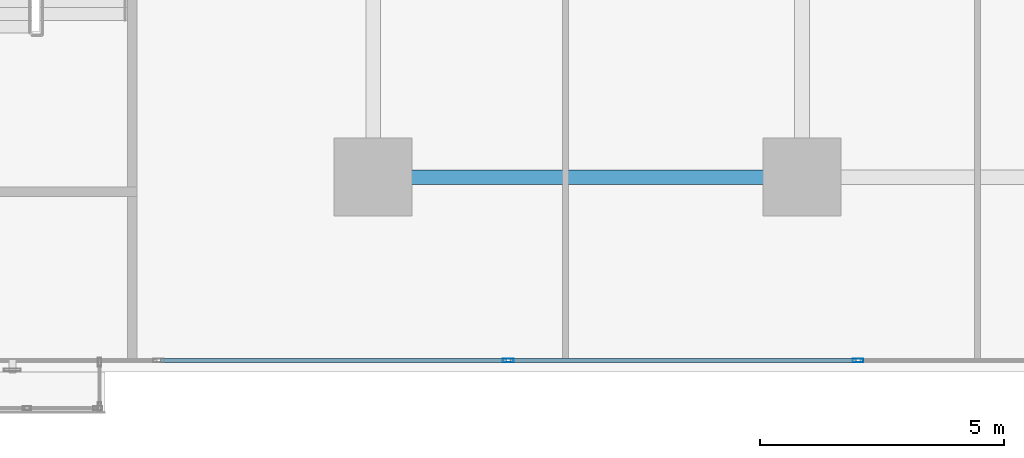
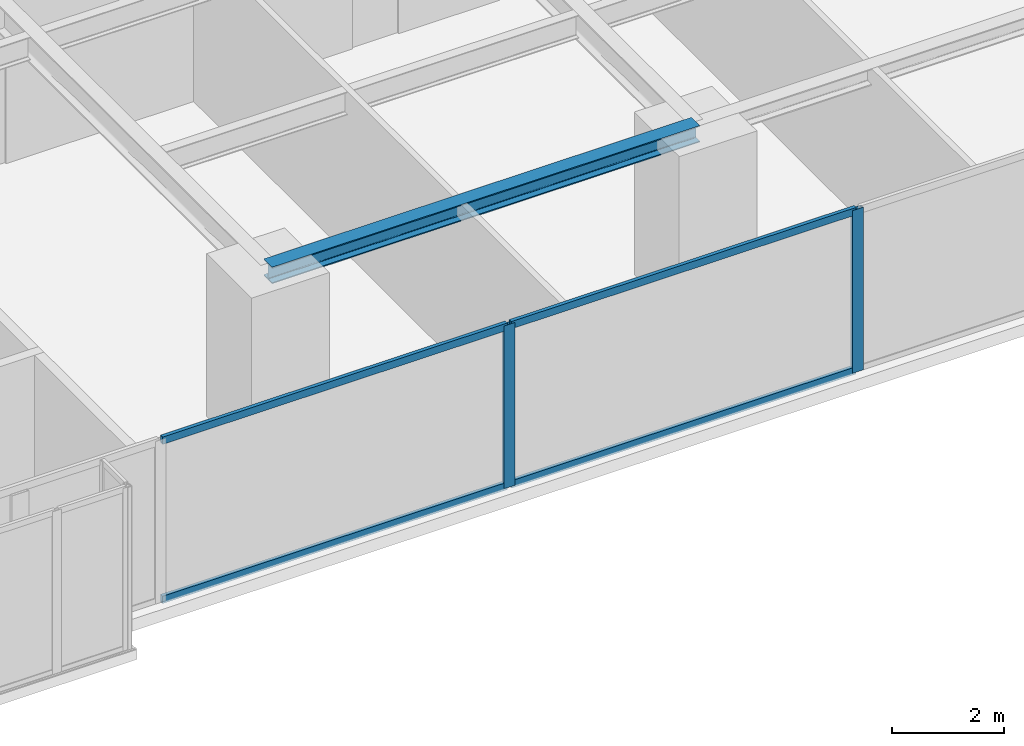
# One storey, part 9 of 26: 6 members, 1 beam, 1 element without a shape of its own.
"""IFC4 building model written with IfcOpenShell, lengths in metres."""

from ifc_helpers import new_model, si_unit, direction, frame, origin, origin_with_axes, origin_2d, place, context, subcontext, project, spatial, hollow_rectangle, i_section, extrude, source, transform, mapped, material, layer, layer_set, material_profile, profile_set, type_object, element, aggregate, save


model = new_model("IFC4")

# Units and contexts
model_context = context("Model", 3, precision=1e-05, world=origin(), true_north=direction((0.0, 1.0)))
body_context = subcontext(model_context, "Body", "Model", "MODEL_VIEW")
ifc_project = project(units=[si_unit("LENGTHUNIT", "METRE"), si_unit("AREAUNIT", "SQUARE_METRE"), si_unit("VOLUMEUNIT", "CUBIC_METRE"), si_unit("PLANEANGLEUNIT", "RADIAN"), si_unit("MASSUNIT", "GRAM", prefix="KILO")], contexts=[model_context])

# Site, building, storey
site_placement = place(None, origin())
site = spatial("IfcSite", under=ifc_project, at=site_placement, CompositionType="ELEMENT")
building_placement = place(site_placement, origin())
building = spatial("IfcBuilding", under=site, at=building_placement, Name="Kolvaren Waterfront Exchange", CompositionType="ELEMENT")
storey_placement = place(building_placement, frame((0.0, 0.0, 48.60009765625)))
storey = spatial("IfcBuildingStorey", under=building, at=storey_placement, Name="L12", CompositionType="ELEMENT", Elevation=48.60009765625)

# Beam
ifc_material_1 = material(Name="Steel S355", Category="steel")
ifc_material_profile_1 = material_profile(ifc_material_1, i_section(OverallWidth=0.300048828125, OverallDepth=0.360107421875, WebThickness=0.012451171875, FlangeThickness=0.0224609375, FilletRadius=0.027099609375, at=origin_2d()), Name="HEB360")
ifc_profile_set_1 = profile_set([ifc_material_profile_1], Name="Steel S355")
beam_type = type_object("IfcBeamType", Name="STR-BM-HEB360", PredefinedType="SPANDREL", material=ifc_profile_set_1)
beam_placement = place(storey_placement, frame((36.800048828125, 5.199951171875, 3.35986328125), z_axis=(1.0, 0.0, 0.0), x_axis=(0.0, 1.0, 0.0)))
element("IfcBeam", 1, at=beam_placement, inside=storey, type_object=beam_type, Name="L12 east-arm spandrel S3", PredefinedType="SPANDREL", context=body_context, shape_type="SweptSolid", body=[
    extrude(i_section(OverallWidth=0.300048828125, OverallDepth=0.360107421875, WebThickness=0.012451171875, FlangeThickness=0.0224609375, FilletRadius=0.027099609375, at=origin_2d()), origin(), (0.0, 0.0, 1.0), 8.800048828125),
])

# Curtain wall, members
ifc_material_2 = material(Name="Anodised bronze aluminium 6063-T6", Category="aluminium")
ifc_layer = layer(ifc_material_2, 0.219970703125, Name="Anodised bronze aluminium 6063-T6")
ifc_layer_set = layer_set([ifc_layer], Name="Anodised bronze aluminium 6063-T6")
curtain_wall_type = type_object("IfcCurtainWallType", Name="ARC-CW-SYS1", PredefinedType="USERDEFINED", material=ifc_layer_set)
curtain_wall_placement = place(storey_placement, origin())
curtain_wall = element("IfcCurtainWall", 2, at=curtain_wall_placement, inside=storey, type_object=curtain_wall_type, Name="L12 stick curtain wall CW1 (CW-L12-S)", ObjectType="STICK CURTAIN WALL", PredefinedType="USERDEFINED")
ifc_material_3 = material(Name="Anodised aluminium 6063-T6", Category="aluminium")
ifc_material_profile_2 = material_profile(ifc_material_3, hollow_rectangle(XDim=0.080078125, YDim=0.219970703125, WallThickness=0.0048828125, at=origin_2d()), Name="ALU-MUL-220x80x5")
ifc_profile_set_2 = profile_set([ifc_material_profile_2], Name="Anodised aluminium 6063-T6")
member_type_1 = type_object("IfcMemberType", Name="ARC-CWM-220", PredefinedType="MULLION", material=ifc_profile_set_2)
shared_shape_1 = source(origin_with_axes(), body_context, "Body", "SweptSolid", [
    extrude(hollow_rectangle(XDim=0.080078125, YDim=0.219970703125, WallThickness=0.0048828125, at=origin_2d()), origin(), (0.0, 0.0, 1.0), 3.539794921875),
])
member_1_placement = place(storey_placement, frame((39.574951171875, 1.43994140625, 0.0), z_axis=(0.0, 0.0, 1.0), x_axis=(0.0, 1.0, 0.0)))
member_1 = element("IfcMember", 3, at=member_1_placement, type_object=member_type_1, Name="CW1 mullion 6", PredefinedType="MULLION", context=body_context, shape_type="MappedRepresentation", body=[
    mapped(shared_shape_1, transform((0.0, 0.0, 0.0), x_axis=(1.0, 0.0, 0.0), y_axis=(0.0, 1.0, 0.0), z_axis=(0.0, 0.0, 1.0), scale=1.0)),
])
member_2_placement = place(storey_placement, frame((46.75, 1.43994140625, 0.0), z_axis=(0.0, 0.0, 1.0), x_axis=(0.0, 1.0, 0.0)))
member_2 = element("IfcMember", 4, at=member_2_placement, type_object=member_type_1, Name="CW1 mullion 7", PredefinedType="MULLION", context=body_context, shape_type="MappedRepresentation", body=[
    mapped(shared_shape_1, transform((0.0, 0.0, 0.0), x_axis=(1.0, 0.0, 0.0), y_axis=(0.0, 1.0, 0.0), z_axis=(0.0, 0.0, 1.0), scale=1.0)),
])
ifc_material_profile_3 = material_profile(ifc_material_3, hollow_rectangle(XDim=0.074951171875, YDim=0.159912109375, WallThickness=0.00439453125, at=origin_2d()), Name="ALU-TRN-160x75x4.5")
ifc_profile_set_3 = profile_set([ifc_material_profile_3], Name="Anodised aluminium 6063-T6")
member_type_2 = type_object("IfcMemberType", Name="ARC-CWT-160", PredefinedType="USERDEFINED", material=ifc_profile_set_3)
shared_shape_2 = source(origin_with_axes(), body_context, "Body", "SweptSolid", [
    extrude(hollow_rectangle(XDim=0.074951171875, YDim=0.159912109375, WallThickness=0.00439453125, at=origin_2d()), origin(), (0.0, 0.0, 1.0), 7.094970703125),
])
member_3_placement = place(storey_placement, frame((32.43994140625, 1.43994140625, 0.037353515625), z_axis=(1.0, 0.0, 0.0), x_axis=(0.0, 1.0, 0.0)))
member_3 = element("IfcMember", 5, at=member_3_placement, type_object=member_type_2, Name="CW1 transom 5.1", ObjectType="TRANSOM", PredefinedType="USERDEFINED", context=body_context, shape_type="MappedRepresentation", body=[
    mapped(shared_shape_2, transform((0.0, 0.0, 0.0), x_axis=(1.0, 0.0, 0.0), y_axis=(0.0, 1.0, 0.0), z_axis=(0.0, 0.0, 1.0), scale=1.0)),
])
member_4_placement = place(storey_placement, frame((32.43994140625, 1.43994140625, 3.50244140625), z_axis=(1.0, 0.0, 0.0), x_axis=(0.0, 1.0, 0.0)))
member_4 = element("IfcMember", 6, at=member_4_placement, type_object=member_type_2, Name="CW1 transom 5.2", ObjectType="TRANSOM", PredefinedType="USERDEFINED", context=body_context, shape_type="MappedRepresentation", body=[
    mapped(shared_shape_2, transform((0.0, 0.0, 0.0), x_axis=(1.0, 0.0, 0.0), y_axis=(0.0, 1.0, 0.0), z_axis=(0.0, 0.0, 1.0), scale=1.0)),
])
member_5_placement = place(storey_placement, frame((39.614990234375, 1.43994140625, 0.037353515625), z_axis=(1.0, 0.0, 0.0), x_axis=(0.0, 1.0, 0.0)))
member_5 = element("IfcMember", 7, at=member_5_placement, type_object=member_type_2, Name="CW1 transom 6.1", ObjectType="TRANSOM", PredefinedType="USERDEFINED", context=body_context, shape_type="MappedRepresentation", body=[
    mapped(shared_shape_2, transform((0.0, 0.0, 0.0), x_axis=(1.0, 0.0, 0.0), y_axis=(0.0, 1.0, 0.0), z_axis=(0.0, 0.0, 1.0), scale=1.0)),
])
member_6_placement = place(storey_placement, frame((39.614990234375, 1.43994140625, 3.50244140625), z_axis=(1.0, 0.0, 0.0), x_axis=(0.0, 1.0, 0.0)))
member_6 = element("IfcMember", 8, at=member_6_placement, type_object=member_type_2, Name="CW1 transom 6.2", ObjectType="TRANSOM", PredefinedType="USERDEFINED", context=body_context, shape_type="MappedRepresentation", body=[
    mapped(shared_shape_2, transform((0.0, 0.0, 0.0), x_axis=(1.0, 0.0, 0.0), y_axis=(0.0, 1.0, 0.0), z_axis=(0.0, 0.0, 1.0), scale=1.0)),
])
aggregate(curtain_wall, [member_1, member_2, member_3, member_4, member_5, member_6])

save(model, "model.ifc")
